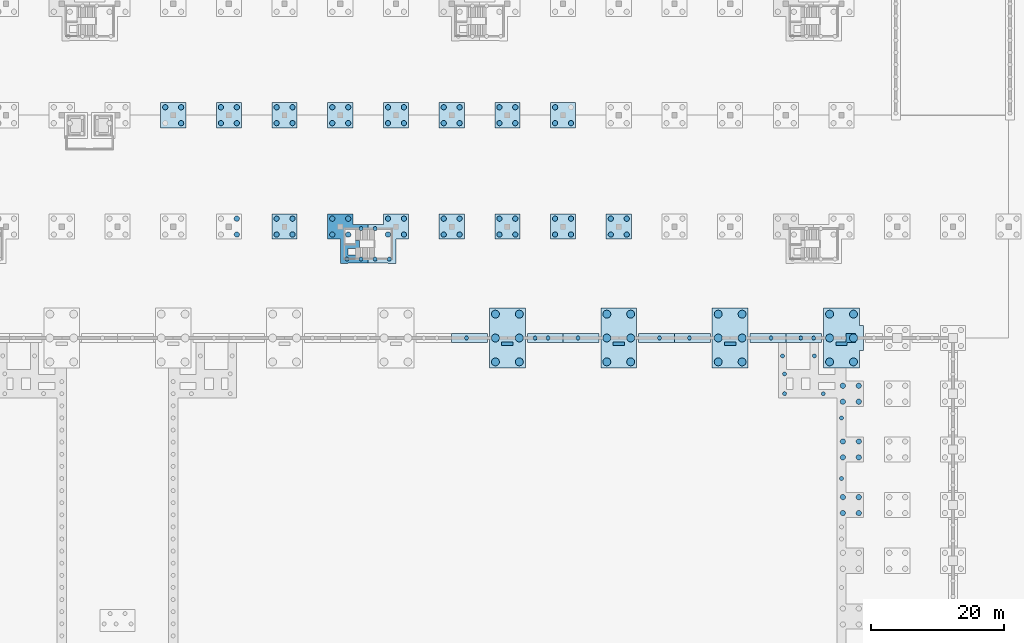
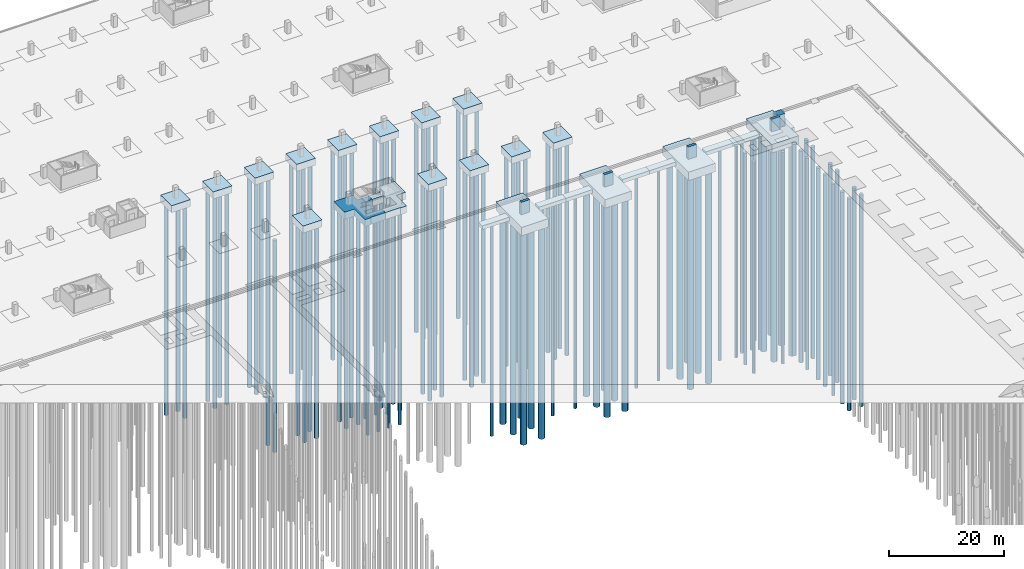
# One storey, part 17 of 67: 118 piles, 30 footings.
"""IFC4 building model written with IfcOpenShell, lengths in metres."""

from ifc_helpers import new_model, si_unit, direction, frame, origin, origin_2d, place, context, subcontext, project, spatial, polyline, circle, outline, extrude, material, material_profile, profile_set, type_object, element, save


model = new_model("IFC4")

# Units and contexts
model_context = context("Model", 3, precision=1e-05, world=origin(), true_north=direction((0.0, 1.0)))
body_context = subcontext(model_context, "Body", "Model", "MODEL_VIEW")
ifc_project = project(units=[si_unit("LENGTHUNIT", "METRE"), si_unit("AREAUNIT", "SQUARE_METRE"), si_unit("VOLUMEUNIT", "CUBIC_METRE"), si_unit("PLANEANGLEUNIT", "RADIAN"), si_unit("MASSUNIT", "GRAM", prefix="KILO")], contexts=[model_context])

# Site, building, storey
site_placement = place(None, origin())
site = spatial("IfcSite", under=ifc_project, at=site_placement, CompositionType="ELEMENT")
building_placement = place(site_placement, origin())
building = spatial("IfcBuilding", under=site, at=building_placement, Name="Rain Tree Exposition and Congress Centre", CompositionType="ELEMENT")
storey_placement = place(building_placement, frame((0.0, 0.0, -3.0)))
storey = spatial("IfcBuildingStorey", under=building, at=storey_placement, Name="B1", CompositionType="ELEMENT", Elevation=-3.0)

# Piles
ifc_material_1 = material(Name="Concrete C35/45", Category="concrete")
ifc_material_profile_1 = material_profile(ifc_material_1, circle(Radius=0.60009765625, at=origin_2d()), Name="D1200")
ifc_profile_set_1 = profile_set([ifc_material_profile_1], Name="Concrete C35/45")
pile_type_1 = type_object("IfcPileType", Name="Bored pile D1200", PredefinedType="BORED", material=ifc_profile_set_1)
for number, where, z_axis, x_axis, name in (
    (1, (208.199951171875, 198.0, -1.72509765625), (0.0, 0.0, -1.0), (1.0, 0.0, 0.0), "Bored pile 1148"),
    (2, (211.800048828125, 198.0, -1.72509765625), (0.0, 0.0, -1.0), (1.0, 0.0, 0.0), "Bored pile 1149"),
    (3, (208.199951171875, 201.60009765625, -1.72509765625), (0.0, 0.0, -1.0), (1.0, 0.0, 0.0), "Bored pile 1150"),
    (4, (211.800048828125, 201.60009765625, -1.72509765625), (0.0, 0.0, -1.0), (1.0, 0.0, 0.0), "Bored pile 1151"),
    (5, (208.199951171875, 205.199951171875, -1.72509765625), (0.0, 0.0, -1.0), (1.0, 0.0, 0.0), "Bored pile 1152"),
    (6, (211.800048828125, 205.199951171875, -1.72509765625), (0.0, 0.0, -1.0), (1.0, 0.0, 0.0), "Bored pile 1153"),
    (7, (191.39990234375, 198.0, -1.72509765625), (0.0, 0.0, -1.0), (1.0, 0.0, 0.0), "Bored pile 1154"),
    (8, (195.0, 198.0, -1.72509765625), (0.0, 0.0, -1.0), (1.0, 0.0, 0.0), "Bored pile 1155"),
    (9, (191.39990234375, 201.60009765625, -1.72509765625), (0.0, 0.0, -1.0), (1.0, 0.0, 0.0), "Bored pile 1156"),
    (10, (195.0, 201.60009765625, -1.72509765625), (0.0, 0.0, -1.0), (1.0, 0.0, 0.0), "Bored pile 1157"),
    (11, (191.39990234375, 205.199951171875, -1.72509765625), (0.0, 0.0, -1.0), (1.0, 0.0, 0.0), "Bored pile 1158"),
    (12, (195.0, 205.199951171875, -1.72509765625), (0.0, 0.0, -1.0), (1.0, 0.0, 0.0), "Bored pile 1159"),
    (13, (241.800048828125, 198.0, -1.72509765625), (0.0, 0.0, -1.0), (1.0, 0.0, 0.0), "Bored pile 1378"),
    (14, (245.39990234375, 198.0, -1.72509765625), (0.0, 0.0, -1.0), (1.0, 0.0, 0.0), "Bored pile 1379"),
    (15, (241.800048828125, 201.60009765625, -1.72509765625), (0.0, 0.0, -1.0), (1.0, 0.0, 0.0), "Bored pile 1380"),
    (16, (245.39990234375, 201.60009765625, -1.72509765625), (0.0, 0.0, -1.0), (1.0, 0.0, 0.0), "Bored pile 1381"),
    (17, (241.800048828125, 205.199951171875, -1.72509765625), (0.0, 0.0, -1.0), (1.0, 0.0, 0.0), "Bored pile 1382"),
    (18, (245.39990234375, 205.199951171875, -1.72509765625), (0.0, 0.0, -1.0), (1.0, 0.0, 0.0), "Bored pile 1383"),
    (19, (225.0, 198.0, -1.72509765625), (0.0, 0.0, -1.0), (1.0, 0.0, 0.0), "Bored pile 1392"),
    (20, (228.60009765625, 198.0, -1.72509765625), (0.0, 0.0, -1.0), (1.0, 0.0, 0.0), "Bored pile 1393"),
    (21, (225.0, 201.60009765625, -1.72509765625), (0.0, 0.0, -1.0), (1.0, 0.0, 0.0), "Bored pile 1394"),
    (22, (228.60009765625, 201.60009765625, -1.72509765625), (0.0, 0.0, -1.0), (1.0, 0.0, 0.0), "Bored pile 1395"),
    (23, (225.0, 205.199951171875, -1.72509765625), (0.0, 0.0, -1.0), (1.0, 0.0, 0.0), "Bored pile 1396"),
    (24, (228.60009765625, 205.199951171875, -1.72509765625), (0.0, 0.0, -1.0), (1.0, 0.0, 0.0), "Bored pile 1397"),
):
    element("IfcPile", number, at=place(storey_placement, frame(where, z_axis=z_axis, x_axis=x_axis)), inside=storey, type_object=pile_type_1, Name=name, PredefinedType="BORED", context=body_context, shape_type="SweptSolid", body=[
        extrude(circle(Radius=0.60009765625, at=origin_2d()), origin(), (0.0, 0.0, 1.0), 45.074951171875),
    ])
ifc_material_2 = material(Name="Concrete C35/45", Category="concrete")
ifc_material_profile_2 = material_profile(ifc_material_2, circle(Radius=0.300048828125, at=origin_2d()), Name="D600")
ifc_profile_set_2 = profile_set([ifc_material_profile_2], Name="Concrete C35/45")
pile_type_2 = type_object("IfcPileType", Name="Bored pile D600", PredefinedType="BORED", material=ifc_profile_set_2)
for number, where, z_axis, x_axis, name in (
    (25, (169.0, 213.5, -1.425048828125), (0.0, 0.0, -1.0), (1.0, 0.0, 0.0), "Bored pile 1162"),
    (26, (171.13330078125, 213.5, -1.425048828125), (0.0, 0.0, -1.0), (1.0, 0.0, 0.0), "Bored pile 1165"),
    (27, (171.13330078125, 218.10009765625, -1.425048828125), (0.0, 0.0, -1.0), (1.0, 0.0, 0.0), "Bored pile 1166"),
    (28, (173.2666015625, 213.5, -1.425048828125), (0.0, 0.0, -1.0), (1.0, 0.0, 0.0), "Bored pile 1167"),
    (29, (173.2666015625, 218.10009765625, -1.425048828125), (0.0, 0.0, -1.0), (1.0, 0.0, 0.0), "Bored pile 1168"),
    (30, (175.39990234375, 213.5, -1.425048828125), (0.0, 0.0, -1.0), (1.0, 0.0, 0.0), "Bored pile 1171"),
    (31, (243.60009765625, 180.414794921875, 0.92578125), (0.0, 0.0, -1.0), (1.0, 0.0, 0.0), "Bored pile 2128"),
    (32, (243.60009765625, 189.54443359375, 0.92578125), (0.0, 0.0, -1.0), (1.0, 0.0, 0.0), "Bored pile 2129"),
    (33, (240.85009765625, 193.199951171875, 0.92578125), (0.0, 0.0, -1.0), (1.0, 0.0, 0.0), "Bored pile 2140"),
    (34, (235.0, 193.199951171875, 0.92578125), (0.0, 0.0, -1.0), (1.0, 0.0, 0.0), "Bored pile 2141"),
    (35, (235.0, 196.199951171875, 0.92578125), (0.0, 0.0, -1.0), (1.0, 0.0, 0.0), "Bored pile 2142"),
    (36, (234.699951171875, 198.89990234375, 0.92578125), (0.0, 0.0, -1.0), (1.0, 0.0, 0.0), "Bored pile 2143"),
    (37, (239.5, 198.89990234375, 0.92578125), (0.0, 0.0, -1.0), (1.0, 0.0, 0.0), "Bored pile 2144"),
    (38, (187.050048828125, 201.60009765625, -0.72509765625), (0.0, 0.0, -1.0), (1.0, 0.0, 0.0), "Bored pile 2523"),
    (39, (197.39990234375, 201.60009765625, -0.72509765625), (0.0, 0.0, -1.0), (1.0, 0.0, 0.0), "Bored pile 2524"),
    (40, (199.35009765625, 201.60009765625, -0.72509765625), (0.0, 0.0, -1.0), (1.0, 0.0, 0.0), "Bored pile 2525"),
    (41, (203.85009765625, 201.60009765625, -0.72509765625), (0.0, 0.0, -1.0), (1.0, 0.0, 0.0), "Bored pile 2526"),
    (42, (216.14990234375, 201.60009765625, -0.72509765625), (0.0, 0.0, -1.0), (1.0, 0.0, 0.0), "Bored pile 2527"),
    (43, (220.64990234375, 201.60009765625, -0.72509765625), (0.0, 0.0, -1.0), (1.0, 0.0, 0.0), "Bored pile 2528"),
    (44, (232.949951171875, 201.60009765625, -0.72509765625), (0.0, 0.0, -1.0), (1.0, 0.0, 0.0), "Bored pile 2529"),
    (45, (237.449951171875, 201.60009765625, -0.72509765625), (0.0, 0.0, -1.0), (1.0, 0.0, 0.0), "Bored pile 2530"),
    (46, (239.39990234375, 201.60009765625, -0.72509765625), (0.0, 0.0, -1.0), (1.0, 0.0, 0.0), "Bored pile 2531"),
):
    element("IfcPile", number, at=place(storey_placement, frame(where, z_axis=z_axis, x_axis=x_axis)), inside=storey, type_object=pile_type_2, Name=name, PredefinedType="BORED", context=body_context, shape_type="SweptSolid", body=[
        extrude(circle(Radius=0.300048828125, at=origin_2d()), origin(), (0.0, 0.0, 1.0), 45.074951171875),
    ])
ifc_material_3 = material(Name="Concrete C35/45", Category="concrete")
ifc_material_profile_3 = material_profile(ifc_material_3, circle(Radius=0.39990234375, at=origin_2d()), Name="D800")
ifc_profile_set_3 = profile_set([ifc_material_profile_3], Name="Concrete C35/45")
pile_type_3 = type_object("IfcPileType", Name="Bored pile D800", PredefinedType="BORED", material=ifc_profile_set_3)
for number, where, z_axis, x_axis, name in (
    (47, (158.39990234375, 217.199951171875, -1.425048828125), (0.0, 0.0, -1.0), (1.0, 0.0, 0.0), "Bored pile 1025"),
    (48, (160.800048828125, 217.199951171875, -1.425048828125), (0.0, 0.0, -1.0), (1.0, 0.0, 0.0), "Bored pile 1026"),
    (49, (158.39990234375, 219.60009765625, -1.425048828125), (0.0, 0.0, -1.0), (1.0, 0.0, 0.0), "Bored pile 1027"),
    (50, (160.800048828125, 219.60009765625, -1.425048828125), (0.0, 0.0, -1.0), (1.0, 0.0, 0.0), "Bored pile 1028"),
    (51, (152.39990234375, 217.199951171875, -1.425048828125), (0.0, 0.0, -1.0), (1.0, 0.0, 0.0), "Bored pile 1030"),
    (52, (152.39990234375, 219.60009765625, -1.425048828125), (0.0, 0.0, -1.0), (1.0, 0.0, 0.0), "Bored pile 1032"),
    (53, (150.0, 234.0, -1.425048828125), (0.0, 0.0, -1.0), (1.0, 0.0, 0.0), "Bored pile 1041"),
    (54, (152.39990234375, 234.0, -1.425048828125), (0.0, 0.0, -1.0), (1.0, 0.0, 0.0), "Bored pile 1042"),
    (55, (150.0, 236.39990234375, -1.425048828125), (0.0, 0.0, -1.0), (1.0, 0.0, 0.0), "Bored pile 1043"),
    (56, (152.39990234375, 236.39990234375, -1.425048828125), (0.0, 0.0, -1.0), (1.0, 0.0, 0.0), "Bored pile 1044"),
    (57, (144.0, 234.0, -1.425048828125), (0.0, 0.0, -1.0), (1.0, 0.0, 0.0), "Bored pile 1050"),
    (58, (141.60009765625, 236.39990234375, -1.425048828125), (0.0, 0.0, -1.0), (1.0, 0.0, 0.0), "Bored pile 1051"),
    (59, (144.0, 236.39990234375, -1.425048828125), (0.0, 0.0, -1.0), (1.0, 0.0, 0.0), "Bored pile 1052"),
    (60, (166.800048828125, 217.199951171875, -1.425048828125), (0.0, 0.0, -1.0), (1.0, 0.0, 0.0), "Bored pile 1160"),
    (61, (166.800048828125, 219.60009765625, -1.425048828125), (0.0, 0.0, -1.0), (1.0, 0.0, 0.0), "Bored pile 1161"),
    (62, (169.199951171875, 217.199951171875, -1.425048828125), (0.0, 0.0, -1.0), (1.0, 0.0, 0.0), "Bored pile 1163"),
    (63, (169.199951171875, 219.60009765625, -1.425048828125), (0.0, 0.0, -1.0), (1.0, 0.0, 0.0), "Bored pile 1164"),
    (64, (175.199951171875, 217.199951171875, -1.425048828125), (0.0, 0.0, -1.0), (1.0, 0.0, 0.0), "Bored pile 1169"),
    (65, (175.199951171875, 219.60009765625, -1.425048828125), (0.0, 0.0, -1.0), (1.0, 0.0, 0.0), "Bored pile 1170"),
    (66, (177.60009765625, 217.199951171875, -1.425048828125), (0.0, 0.0, -1.0), (1.0, 0.0, 0.0), "Bored pile 1172"),
    (67, (177.60009765625, 219.60009765625, -1.425048828125), (0.0, 0.0, -1.0), (1.0, 0.0, 0.0), "Bored pile 1173"),
    (68, (192.0, 217.199951171875, -1.425048828125), (0.0, 0.0, -1.0), (1.0, 0.0, 0.0), "Bored pile 1174"),
    (69, (194.39990234375, 217.199951171875, -1.425048828125), (0.0, 0.0, -1.0), (1.0, 0.0, 0.0), "Bored pile 1175"),
    (70, (192.0, 219.60009765625, -1.425048828125), (0.0, 0.0, -1.0), (1.0, 0.0, 0.0), "Bored pile 1176"),
    (71, (194.39990234375, 219.60009765625, -1.425048828125), (0.0, 0.0, -1.0), (1.0, 0.0, 0.0), "Bored pile 1177"),
    (72, (200.39990234375, 217.199951171875, -1.425048828125), (0.0, 0.0, -1.0), (1.0, 0.0, 0.0), "Bored pile 1182"),
    (73, (202.800048828125, 217.199951171875, -1.425048828125), (0.0, 0.0, -1.0), (1.0, 0.0, 0.0), "Bored pile 1183"),
    (74, (200.39990234375, 219.60009765625, -1.425048828125), (0.0, 0.0, -1.0), (1.0, 0.0, 0.0), "Bored pile 1184"),
    (75, (202.800048828125, 219.60009765625, -1.425048828125), (0.0, 0.0, -1.0), (1.0, 0.0, 0.0), "Bored pile 1185"),
    (76, (208.800048828125, 217.199951171875, -1.425048828125), (0.0, 0.0, -1.0), (1.0, 0.0, 0.0), "Bored pile 1186"),
    (77, (211.199951171875, 217.199951171875, -1.425048828125), (0.0, 0.0, -1.0), (1.0, 0.0, 0.0), "Bored pile 1187"),
    (78, (208.800048828125, 219.60009765625, -1.425048828125), (0.0, 0.0, -1.0), (1.0, 0.0, 0.0), "Bored pile 1188"),
    (79, (211.199951171875, 219.60009765625, -1.425048828125), (0.0, 0.0, -1.0), (1.0, 0.0, 0.0), "Bored pile 1189"),
    (80, (183.60009765625, 217.199951171875, -1.425048828125), (0.0, 0.0, -1.0), (1.0, 0.0, 0.0), "Bored pile 1190"),
    (81, (186.0, 217.199951171875, -1.425048828125), (0.0, 0.0, -1.0), (1.0, 0.0, 0.0), "Bored pile 1191"),
    (82, (183.60009765625, 219.60009765625, -1.425048828125), (0.0, 0.0, -1.0), (1.0, 0.0, 0.0), "Bored pile 1192"),
    (83, (186.0, 219.60009765625, -1.425048828125), (0.0, 0.0, -1.0), (1.0, 0.0, 0.0), "Bored pile 1193"),
    (84, (200.39990234375, 234.0, -1.425048828125), (0.0, 0.0, -1.0), (1.0, 0.0, 0.0), "Bored pile 1194"),
    (85, (202.800048828125, 234.0, -1.425048828125), (0.0, 0.0, -1.0), (1.0, 0.0, 0.0), "Bored pile 1195"),
    (86, (200.39990234375, 236.39990234375, -1.425048828125), (0.0, 0.0, -1.0), (1.0, 0.0, 0.0), "Bored pile 1196"),
    (87, (175.199951171875, 234.0, -1.425048828125), (0.0, 0.0, -1.0), (1.0, 0.0, 0.0), "Bored pile 1198"),
    (88, (177.60009765625, 234.0, -1.425048828125), (0.0, 0.0, -1.0), (1.0, 0.0, 0.0), "Bored pile 1199"),
    (89, (175.199951171875, 236.39990234375, -1.425048828125), (0.0, 0.0, -1.0), (1.0, 0.0, 0.0), "Bored pile 1200"),
    (90, (177.60009765625, 236.39990234375, -1.425048828125), (0.0, 0.0, -1.0), (1.0, 0.0, 0.0), "Bored pile 1201"),
    (91, (183.60009765625, 234.0, -1.425048828125), (0.0, 0.0, -1.0), (1.0, 0.0, 0.0), "Bored pile 1202"),
    (92, (186.0, 234.0, -1.425048828125), (0.0, 0.0, -1.0), (1.0, 0.0, 0.0), "Bored pile 1203"),
    (93, (183.60009765625, 236.39990234375, -1.425048828125), (0.0, 0.0, -1.0), (1.0, 0.0, 0.0), "Bored pile 1204"),
    (94, (186.0, 236.39990234375, -1.425048828125), (0.0, 0.0, -1.0), (1.0, 0.0, 0.0), "Bored pile 1205"),
    (95, (166.800048828125, 234.0, -1.425048828125), (0.0, 0.0, -1.0), (1.0, 0.0, 0.0), "Bored pile 1206"),
    (96, (169.199951171875, 234.0, -1.425048828125), (0.0, 0.0, -1.0), (1.0, 0.0, 0.0), "Bored pile 1207"),
    (97, (166.800048828125, 236.39990234375, -1.425048828125), (0.0, 0.0, -1.0), (1.0, 0.0, 0.0), "Bored pile 1208"),
    (98, (169.199951171875, 236.39990234375, -1.425048828125), (0.0, 0.0, -1.0), (1.0, 0.0, 0.0), "Bored pile 1209"),
    (99, (192.0, 234.0, -1.425048828125), (0.0, 0.0, -1.0), (1.0, 0.0, 0.0), "Bored pile 1210"),
    (100, (194.39990234375, 234.0, -1.425048828125), (0.0, 0.0, -1.0), (1.0, 0.0, 0.0), "Bored pile 1211"),
    (101, (192.0, 236.39990234375, -1.425048828125), (0.0, 0.0, -1.0), (1.0, 0.0, 0.0), "Bored pile 1212"),
    (102, (194.39990234375, 236.39990234375, -1.425048828125), (0.0, 0.0, -1.0), (1.0, 0.0, 0.0), "Bored pile 1213"),
    (103, (158.39990234375, 234.0, -1.425048828125), (0.0, 0.0, -1.0), (1.0, 0.0, 0.0), "Bored pile 1222"),
    (104, (160.800048828125, 234.0, -1.425048828125), (0.0, 0.0, -1.0), (1.0, 0.0, 0.0), "Bored pile 1223"),
    (105, (158.39990234375, 236.39990234375, -1.425048828125), (0.0, 0.0, -1.0), (1.0, 0.0, 0.0), "Bored pile 1224"),
    (106, (160.800048828125, 236.39990234375, -1.425048828125), (0.0, 0.0, -1.0), (1.0, 0.0, 0.0), "Bored pile 1225"),
    (107, (243.800048828125, 175.199951171875, 0.92578125), (0.0, 0.0, -1.0), (1.0, 0.0, 0.0), "Bored pile 2078"),
    (108, (246.199951171875, 175.199951171875, 0.92578125), (0.0, 0.0, -1.0), (1.0, 0.0, 0.0), "Bored pile 2079"),
    (109, (243.800048828125, 177.60009765625, 0.92578125), (0.0, 0.0, -1.0), (1.0, 0.0, 0.0), "Bored pile 2080"),
    (110, (246.199951171875, 177.60009765625, 0.92578125), (0.0, 0.0, -1.0), (1.0, 0.0, 0.0), "Bored pile 2081"),
    (111, (243.800048828125, 183.60009765625, 0.92578125), (0.0, 0.0, -1.0), (1.0, 0.0, 0.0), "Bored pile 2082"),
    (112, (246.199951171875, 183.60009765625, 0.92578125), (0.0, 0.0, -1.0), (1.0, 0.0, 0.0), "Bored pile 2083"),
    (113, (243.800048828125, 186.0, 0.92578125), (0.0, 0.0, -1.0), (1.0, 0.0, 0.0), "Bored pile 2084"),
    (114, (246.199951171875, 186.0, 0.92578125), (0.0, 0.0, -1.0), (1.0, 0.0, 0.0), "Bored pile 2085"),
    (115, (243.800048828125, 192.0, 0.92578125), (0.0, 0.0, -1.0), (1.0, 0.0, 0.0), "Bored pile 2086"),
    (116, (246.199951171875, 192.0, 0.92578125), (0.0, 0.0, -1.0), (1.0, 0.0, 0.0), "Bored pile 2087"),
    (117, (243.800048828125, 194.39990234375, 0.92578125), (0.0, 0.0, -1.0), (1.0, 0.0, 0.0), "Bored pile 2088"),
    (118, (246.199951171875, 194.39990234375, 0.92578125), (0.0, 0.0, -1.0), (1.0, 0.0, 0.0), "Bored pile 2089"),
):
    element("IfcPile", number, at=place(storey_placement, frame(where, z_axis=z_axis, x_axis=x_axis)), inside=storey, type_object=pile_type_3, Name=name, PredefinedType="BORED", context=body_context, shape_type="SweptSolid", body=[
        extrude(circle(Radius=0.39990234375, at=origin_2d()), origin(), (0.0, 0.0, 1.0), 45.074951171875),
    ])

# Footings
ifc_material_4 = material(Name="Concrete C35/45", Category="concrete")
footing_type_1 = type_object("IfcFootingType", Name="Pier cap 2650 thick", PredefinedType="PILE_CAP", material=ifc_material_4)
footing_1_placement = place(storey_placement, origin())
element("IfcFooting", 119, at=footing_1_placement, inside=storey, type_object=footing_type_1, Name="Pier cap 025", PredefinedType="PILE_CAP", context=body_context, shape_type="SweptSolid", body=[
    extrude(outline(polyline([(192.35009765625, 201.0), (192.35009765625, 200.449951171875), (194.050048828125, 200.449951171875), (194.050048828125, 201.0), (192.35009765625, 201.0)])), origin(), (0.0, 0.0, 1.0), 2.64990234375),
])
footing_2_placement = place(storey_placement, origin())
element("IfcFooting", 120, at=footing_2_placement, inside=storey, type_object=footing_type_1, Name="Pier cap 026", PredefinedType="PILE_CAP", context=body_context, shape_type="SweptSolid", body=[
    extrude(outline(polyline([(209.14990234375, 201.0), (209.14990234375, 200.449951171875), (210.85009765625, 200.449951171875), (210.85009765625, 201.0), (209.14990234375, 201.0)])), origin(), (0.0, 0.0, 1.0), 2.64990234375),
])
footing_3_placement = place(storey_placement, origin())
element("IfcFooting", 121, at=footing_3_placement, inside=storey, type_object=footing_type_1, Name="Pier cap 027", PredefinedType="PILE_CAP", context=body_context, shape_type="SweptSolid", body=[
    extrude(outline(polyline([(225.949951171875, 201.0), (225.949951171875, 200.449951171875), (227.64990234375, 200.449951171875), (227.64990234375, 201.0), (225.949951171875, 201.0)])), origin(), (0.0, 0.0, 1.0), 2.64990234375),
])
footing_4_placement = place(storey_placement, origin())
element("IfcFooting", 122, at=footing_4_placement, inside=storey, type_object=footing_type_1, Name="Pier cap 028", PredefinedType="PILE_CAP", context=body_context, shape_type="SweptSolid", body=[
    extrude(outline(polyline([(244.300048828125, 201.0), (242.75, 201.0), (242.75, 200.449951171875), (244.449951171875, 200.449951171875), (244.449951171875, 200.89990234375), (245.699951171875, 200.89990234375), (245.699951171875, 202.300048828125), (244.300048828125, 202.300048828125), (244.300048828125, 201.0)])), origin(), (0.0, 0.0, 1.0), 2.64990234375),
])
ifc_material_5 = material(Name="Concrete C35/45", Category="concrete")
footing_type_2 = type_object("IfcFootingType", Name="Pile cap 1500 thick", PredefinedType="PILE_CAP", material=ifc_material_5)
footing_5_placement = place(storey_placement, frame((0.0, 0.0, -1.5)))
element("IfcFooting", 123, at=footing_5_placement, inside=storey, type_object=footing_type_2, Name="Pile cap 198", PredefinedType="PILE_CAP", context=body_context, shape_type="SweptSolid", body=[
    extrude(outline(polyline([(161.5, 216.5), (161.5, 220.300048828125), (157.699951171875, 220.300048828125), (157.699951171875, 216.5), (161.5, 216.5)])), origin(), (0.0, 0.0, 1.0), 1.5),
])
footing_6_placement = place(storey_placement, frame((0.0, 0.0, -1.5)))
element("IfcFooting", 124, at=footing_6_placement, inside=storey, type_object=footing_type_2, Name="Pile cap 202", PredefinedType="PILE_CAP", context=body_context, shape_type="SweptSolid", body=[
    extrude(outline(polyline([(153.10009765625, 233.300048828125), (153.10009765625, 237.10009765625), (149.300048828125, 237.10009765625), (149.300048828125, 233.300048828125), (153.10009765625, 233.300048828125)])), origin(), (0.0, 0.0, 1.0), 1.5),
])
footing_7_placement = place(storey_placement, frame((0.0, 0.0, -1.5)))
element("IfcFooting", 125, at=footing_7_placement, inside=storey, type_object=footing_type_2, Name="Pile cap 204", PredefinedType="PILE_CAP", context=body_context, shape_type="SweptSolid", body=[
    extrude(outline(polyline([(144.699951171875, 233.300048828125), (144.699951171875, 237.10009765625), (140.89990234375, 237.10009765625), (140.89990234375, 233.300048828125), (144.699951171875, 233.300048828125)])), origin(), (0.0, 0.0, 1.0), 1.5),
])
footing_8_placement = place(storey_placement, frame((0.0, 0.0, -1.5)))
element("IfcFooting", 126, at=footing_8_placement, inside=storey, type_object=footing_type_2, Name="Pile cap 230", PredefinedType="PILE_CAP", context=body_context, shape_type="SweptSolid", body=[
    extrude(outline(polyline([(195.10009765625, 216.5), (195.10009765625, 220.300048828125), (191.300048828125, 220.300048828125), (191.300048828125, 216.5), (195.10009765625, 216.5)])), origin(), (0.0, 0.0, 1.0), 1.5),
])
footing_9_placement = place(storey_placement, frame((0.0, 0.0, -1.5)))
element("IfcFooting", 127, at=footing_9_placement, inside=storey, type_object=footing_type_2, Name="Pile cap 232", PredefinedType="PILE_CAP", context=body_context, shape_type="SweptSolid", body=[
    extrude(outline(polyline([(203.5, 216.5), (203.5, 220.300048828125), (199.699951171875, 220.300048828125), (199.699951171875, 216.5), (203.5, 216.5)])), origin(), (0.0, 0.0, 1.0), 1.5),
])
footing_10_placement = place(storey_placement, frame((0.0, 0.0, -1.5)))
element("IfcFooting", 128, at=footing_10_placement, inside=storey, type_object=footing_type_2, Name="Pile cap 233", PredefinedType="PILE_CAP", context=body_context, shape_type="SweptSolid", body=[
    extrude(outline(polyline([(211.89990234375, 216.5), (211.89990234375, 220.300048828125), (208.10009765625, 220.300048828125), (208.10009765625, 216.5), (211.89990234375, 216.5)])), origin(), (0.0, 0.0, 1.0), 1.5),
])
footing_11_placement = place(storey_placement, frame((0.0, 0.0, -1.5)))
element("IfcFooting", 129, at=footing_11_placement, inside=storey, type_object=footing_type_2, Name="Pile cap 234", PredefinedType="PILE_CAP", context=body_context, shape_type="SweptSolid", body=[
    extrude(outline(polyline([(186.699951171875, 216.5), (186.699951171875, 220.300048828125), (182.89990234375, 220.300048828125), (182.89990234375, 216.5), (186.699951171875, 216.5)])), origin(), (0.0, 0.0, 1.0), 1.5),
])
footing_12_placement = place(storey_placement, frame((0.0, 0.0, -1.5)))
element("IfcFooting", 130, at=footing_12_placement, inside=storey, type_object=footing_type_2, Name="Pile cap 235", PredefinedType="PILE_CAP", context=body_context, shape_type="SweptSolid", body=[
    extrude(outline(polyline([(203.5, 233.300048828125), (203.5, 237.10009765625), (199.699951171875, 237.10009765625), (199.699951171875, 233.300048828125), (203.5, 233.300048828125)])), origin(), (0.0, 0.0, 1.0), 1.5),
])
footing_13_placement = place(storey_placement, frame((0.0, 0.0, -1.5)))
element("IfcFooting", 131, at=footing_13_placement, inside=storey, type_object=footing_type_2, Name="Pile cap 236", PredefinedType="PILE_CAP", context=body_context, shape_type="SweptSolid", body=[
    extrude(outline(polyline([(178.300048828125, 233.300048828125), (178.300048828125, 237.10009765625), (174.5, 237.10009765625), (174.5, 233.300048828125), (178.300048828125, 233.300048828125)])), origin(), (0.0, 0.0, 1.0), 1.5),
])
footing_14_placement = place(storey_placement, frame((0.0, 0.0, -1.5)))
element("IfcFooting", 132, at=footing_14_placement, inside=storey, type_object=footing_type_2, Name="Pile cap 237", PredefinedType="PILE_CAP", context=body_context, shape_type="SweptSolid", body=[
    extrude(outline(polyline([(186.699951171875, 233.300048828125), (186.699951171875, 237.10009765625), (182.89990234375, 237.10009765625), (182.89990234375, 233.300048828125), (186.699951171875, 233.300048828125)])), origin(), (0.0, 0.0, 1.0), 1.5),
])
footing_15_placement = place(storey_placement, frame((0.0, 0.0, -1.5)))
element("IfcFooting", 133, at=footing_15_placement, inside=storey, type_object=footing_type_2, Name="Pile cap 238", PredefinedType="PILE_CAP", context=body_context, shape_type="SweptSolid", body=[
    extrude(outline(polyline([(169.89990234375, 233.300048828125), (169.89990234375, 237.10009765625), (166.10009765625, 237.10009765625), (166.10009765625, 233.300048828125), (169.89990234375, 233.300048828125)])), origin(), (0.0, 0.0, 1.0), 1.5),
])
footing_16_placement = place(storey_placement, frame((0.0, 0.0, -1.5)))
element("IfcFooting", 134, at=footing_16_placement, inside=storey, type_object=footing_type_2, Name="Pile cap 239", PredefinedType="PILE_CAP", context=body_context, shape_type="SweptSolid", body=[
    extrude(outline(polyline([(195.10009765625, 233.300048828125), (195.10009765625, 237.10009765625), (191.300048828125, 237.10009765625), (191.300048828125, 233.300048828125), (195.10009765625, 233.300048828125)])), origin(), (0.0, 0.0, 1.0), 1.5),
])
footing_17_placement = place(storey_placement, frame((0.0, 0.0, -1.5)))
element("IfcFooting", 135, at=footing_17_placement, inside=storey, type_object=footing_type_2, Name="Pile cap 242", PredefinedType="PILE_CAP", context=body_context, shape_type="SweptSolid", body=[
    extrude(outline(polyline([(161.5, 233.300048828125), (161.5, 237.10009765625), (157.699951171875, 237.10009765625), (157.699951171875, 233.300048828125), (161.5, 233.300048828125)])), origin(), (0.0, 0.0, 1.0), 1.5),
])
ifc_material_6 = material(Name="Concrete C35/45", Category="concrete")
footing_type_3 = type_object("IfcFootingType", Name="Pile cap 1800 thick", PredefinedType="PILE_CAP", material=ifc_material_6)
footing_18_placement = place(storey_placement, frame((0.0, 0.0, -1.800048828125)))
element("IfcFooting", 136, at=footing_18_placement, inside=storey, type_object=footing_type_3, Name="Pile cap 228", PredefinedType="PILE_CAP", context=body_context, shape_type="SweptSolid", body=[
    extrude(outline(polyline([(212.699951171875, 197.10009765625), (212.699951171875, 206.10009765625), (207.300048828125, 206.10009765625), (207.300048828125, 197.10009765625), (212.699951171875, 197.10009765625)])), origin(), (0.0, 0.0, 1.0), 1.800048828125),
])
footing_19_placement = place(storey_placement, frame((0.0, 0.0, -1.800048828125)))
element("IfcFooting", 137, at=footing_19_placement, inside=storey, type_object=footing_type_3, Name="Pile cap 229", PredefinedType="PILE_CAP", context=body_context, shape_type="SweptSolid", body=[
    extrude(outline(polyline([(195.89990234375, 197.10009765625), (195.89990234375, 206.10009765625), (190.5, 206.10009765625), (190.5, 197.10009765625), (195.89990234375, 197.10009765625)])), origin(), (0.0, 0.0, 1.0), 1.800048828125),
])
footing_20_placement = place(storey_placement, frame((0.0, 0.0, -1.800048828125)))
element("IfcFooting", 138, at=footing_20_placement, inside=storey, type_object=footing_type_3, Name="Pile cap 274", PredefinedType="PILE_CAP", context=body_context, shape_type="SweptSolid", body=[
    extrude(outline(polyline([(246.300048828125, 197.10009765625), (246.300048828125, 199.699951171875), (246.89990234375, 199.699951171875), (246.89990234375, 203.5), (246.300048828125, 203.5), (246.300048828125, 206.10009765625), (240.89990234375, 206.10009765625), (240.89990234375, 197.10009765625), (246.300048828125, 197.10009765625)])), origin(), (0.0, 0.0, 1.0), 1.800048828125),
])
footing_21_placement = place(storey_placement, frame((0.0, 0.0, -1.800048828125)))
element("IfcFooting", 139, at=footing_21_placement, inside=storey, type_object=footing_type_3, Name="Pile cap 277", PredefinedType="PILE_CAP", context=body_context, shape_type="SweptSolid", body=[
    extrude(outline(polyline([(229.5, 197.10009765625), (229.5, 206.10009765625), (224.10009765625, 206.10009765625), (224.10009765625, 197.10009765625), (229.5, 197.10009765625)])), origin(), (0.0, 0.0, 1.0), 1.800048828125),
])
ifc_material_7 = material(Name="Concrete C35/45", Category="concrete")
footing_type_4 = type_object("IfcFootingType", Name="Strip footing 1500 thick", PredefinedType="STRIP_FOOTING", material=ifc_material_7)
footing_22_placement = place(storey_placement, frame((0.0, 0.0, -1.5)))
element("IfcFooting", 140, at=footing_22_placement, inside=storey, type_object=footing_type_4, Name="Strip footing 032", PredefinedType="STRIP_FOOTING", context=body_context, shape_type="SweptSolid", body=[
    extrude(outline(polyline([(169.199951171875, 212.800048828125), (169.199951171875, 212.89990234375), (172.199951171875, 212.89990234375), (172.199951171875, 214.10009765625), (169.199951171875, 214.10009765625), (169.199951171875, 215.10009765625), (170.89990234375, 215.10009765625), (170.89990234375, 216.300048828125), (170.300048828125, 216.300048828125), (169.199951171875, 216.300048828125), (169.199951171875, 216.5), (169.89990234375, 216.5), (169.89990234375, 217.5), (172.199951171875, 217.5), (172.199951171875, 218.699951171875), (169.89990234375, 218.699951171875), (169.89990234375, 220.300048828125), (166.10009765625, 220.300048828125), (166.10009765625, 216.5), (168.0, 216.5), (168.0, 212.800048828125), (169.199951171875, 212.800048828125)])), origin(), (0.0, 0.0, 1.0), 1.5),
])
footing_23_placement = place(storey_placement, frame((0.0, 0.0, -1.5)))
element("IfcFooting", 141, at=footing_23_placement, inside=storey, type_object=footing_type_4, Name="Strip footing 033", PredefinedType="STRIP_FOOTING", context=body_context, shape_type="SweptSolid", body=[
    extrude(outline(polyline([(174.5, 218.699951171875), (172.199951171875, 218.699951171875), (172.199951171875, 217.5), (174.5, 217.5), (174.5, 216.5), (175.199951171875, 216.5), (175.199951171875, 214.10009765625), (172.199951171875, 214.10009765625), (172.199951171875, 212.89990234375), (175.199951171875, 212.89990234375), (175.199951171875, 212.800048828125), (176.39990234375, 212.800048828125), (176.39990234375, 213.39990234375), (176.39990234375, 216.5), (178.300048828125, 216.5), (178.300048828125, 220.300048828125), (174.5, 220.300048828125), (174.5, 218.699951171875)])), origin(), (0.0, 0.0, 1.0), 1.5),
])
ifc_material_8 = material(Name="Concrete C35/45", Category="concrete")
footing_type_5 = type_object("IfcFootingType", Name="Strip footing 800 thick", PredefinedType="STRIP_FOOTING", material=ifc_material_8)
footing_24_placement = place(storey_placement, frame((0.0, 0.0, -0.800048828125)))
element("IfcFooting", 142, at=footing_24_placement, inside=storey, type_object=footing_type_5, Name="Strip footing 171", PredefinedType="STRIP_FOOTING", context=body_context, shape_type="SweptSolid", body=[
    extrude(outline(polyline([(184.800048828125, 202.300048828125), (184.800048828125, 200.89990234375), (190.199951171875, 200.89990234375), (190.199951171875, 202.300048828125), (184.800048828125, 202.300048828125)])), origin(), (0.0, 0.0, 1.0), 0.800048828125),
])
footing_25_placement = place(storey_placement, frame((0.0, 0.0, -0.800048828125)))
element("IfcFooting", 143, at=footing_25_placement, inside=storey, type_object=footing_type_5, Name="Strip footing 172", PredefinedType="STRIP_FOOTING", context=body_context, shape_type="SweptSolid", body=[
    extrude(outline(polyline([(196.199951171875, 200.89990234375), (201.60009765625, 200.89990234375), (201.60009765625, 202.300048828125), (196.199951171875, 202.300048828125), (196.199951171875, 200.89990234375)])), origin(), (0.0, 0.0, 1.0), 0.800048828125),
])
footing_26_placement = place(storey_placement, frame((0.0, 0.0, -0.800048828125)))
element("IfcFooting", 144, at=footing_26_placement, inside=storey, type_object=footing_type_5, Name="Strip footing 173", PredefinedType="STRIP_FOOTING", context=body_context, shape_type="SweptSolid", body=[
    extrude(outline(polyline([(201.60009765625, 202.300048828125), (201.60009765625, 200.89990234375), (207.0, 200.89990234375), (207.0, 202.300048828125), (201.60009765625, 202.300048828125)])), origin(), (0.0, 0.0, 1.0), 0.800048828125),
])
footing_27_placement = place(storey_placement, frame((0.0, 0.0, -0.800048828125)))
element("IfcFooting", 145, at=footing_27_placement, inside=storey, type_object=footing_type_5, Name="Strip footing 174", PredefinedType="STRIP_FOOTING", context=body_context, shape_type="SweptSolid", body=[
    extrude(outline(polyline([(213.0, 200.89990234375), (218.39990234375, 200.89990234375), (218.39990234375, 202.300048828125), (213.0, 202.300048828125), (213.0, 200.89990234375)])), origin(), (0.0, 0.0, 1.0), 0.800048828125),
])
footing_28_placement = place(storey_placement, frame((0.0, 0.0, -0.800048828125)))
element("IfcFooting", 146, at=footing_28_placement, inside=storey, type_object=footing_type_5, Name="Strip footing 175", PredefinedType="STRIP_FOOTING", context=body_context, shape_type="SweptSolid", body=[
    extrude(outline(polyline([(218.39990234375, 202.300048828125), (218.39990234375, 200.89990234375), (223.800048828125, 200.89990234375), (223.800048828125, 202.300048828125), (218.39990234375, 202.300048828125)])), origin(), (0.0, 0.0, 1.0), 0.800048828125),
])
footing_29_placement = place(storey_placement, frame((0.0, 0.0, -0.800048828125)))
element("IfcFooting", 147, at=footing_29_placement, inside=storey, type_object=footing_type_5, Name="Strip footing 176", PredefinedType="STRIP_FOOTING", context=body_context, shape_type="SweptSolid", body=[
    extrude(outline(polyline([(229.800048828125, 200.89990234375), (235.199951171875, 200.89990234375), (235.199951171875, 202.300048828125), (229.800048828125, 202.300048828125), (229.800048828125, 200.89990234375)])), origin(), (0.0, 0.0, 1.0), 0.800048828125),
])
footing_30_placement = place(storey_placement, frame((0.0, 0.0, -0.800048828125)))
element("IfcFooting", 148, at=footing_30_placement, inside=storey, type_object=footing_type_5, Name="Strip footing 177", PredefinedType="STRIP_FOOTING", context=body_context, shape_type="SweptSolid", body=[
    extrude(outline(polyline([(235.199951171875, 202.300048828125), (235.199951171875, 200.89990234375), (240.60009765625, 200.89990234375), (240.60009765625, 202.300048828125), (235.199951171875, 202.300048828125)])), origin(), (0.0, 0.0, 1.0), 0.800048828125),
])

save(model, "model.ifc")
